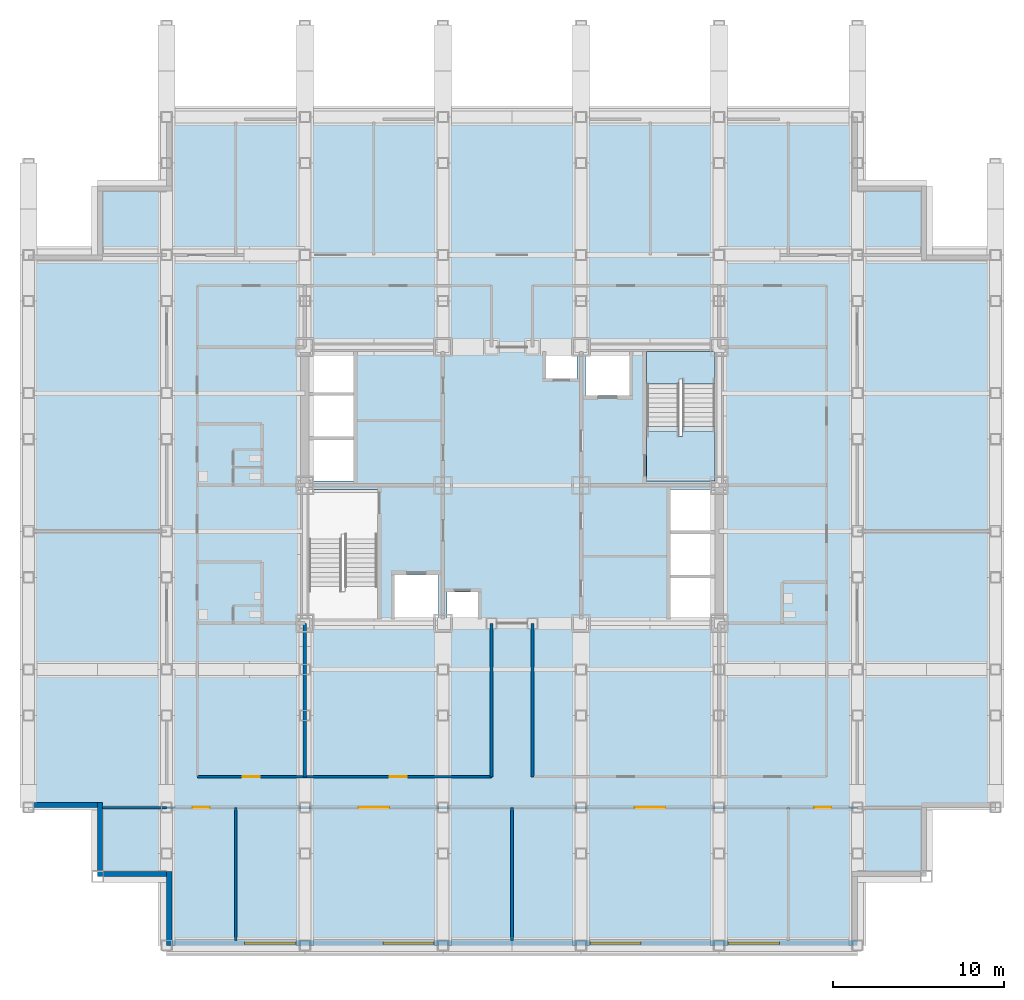
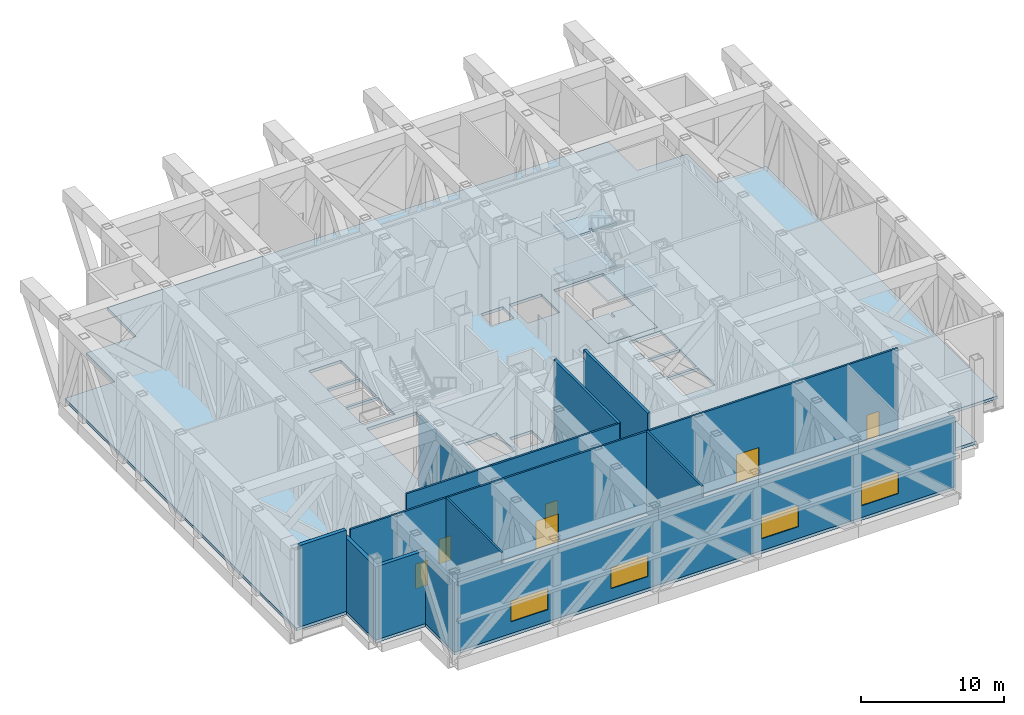
# One storey, part 7 of 13: 13 walls, 6 doors, 5 slabs, 4 windows, 10 openings, 1 element without a shape of its own.
"""IFC4 building model written with IfcOpenShell, lengths in metres."""

from ifc_helpers import new_model, si_unit, direction, frame, frame_2d, origin, place, context, subcontext, project, spatial, polyline, rectangle, outline, extrude, material, layer, layer_set, type_object, element, fill, aggregate, save


model = new_model("IFC4")

# Units and contexts
model_context = context("Model", 3, precision=1e-05, world=origin(), true_north=direction((0.0, 1.0)))
body_context = subcontext(model_context, "Body", "Model", "MODEL_VIEW")
ifc_project = project(units=[si_unit("LENGTHUNIT", "METRE"), si_unit("AREAUNIT", "SQUARE_METRE"), si_unit("VOLUMEUNIT", "CUBIC_METRE"), si_unit("PLANEANGLEUNIT", "RADIAN"), si_unit("MASSUNIT", "GRAM", prefix="KILO")], contexts=[model_context])

# Site, building, storey
site_placement = place(None, origin())
site = spatial("IfcSite", under=ifc_project, at=site_placement, CompositionType="ELEMENT")
building_placement = place(site_placement, origin())
building = spatial("IfcBuilding", under=site, at=building_placement, Name="Kopane Lantern Tower", CompositionType="ELEMENT")
storey_placement = place(building_placement, frame((0.0, 0.0, 157.800048828125)))
storey = spatial("IfcBuildingStorey", under=building, at=storey_placement, Name="L41", CompositionType="ELEMENT", Elevation=157.800048828125)

# Slab
ifc_material_1 = material(Name="Concrete C40/50", Category="concrete")
ifc_layer_1 = layer(ifc_material_1, 0.25)
ifc_layer_set_1 = layer_set([ifc_layer_1], Name="SLAB 250 COMPOSITE")
slab_type_1 = type_object("IfcSlabType", Name="SLAB 250 COMPOSITE", PredefinedType="FLOOR", material=ifc_layer_set_1)
slab_1_placement = place(storey_placement, frame((0.0, 0.0, -0.25)))
element("IfcSlab", 1, at=slab_1_placement, inside=storey, type_object=slab_type_1, Name="Floor slab L41", PredefinedType="FLOOR", context=body_context, shape_type="SweptSolid", body=[
    extrude(outline(polyline([(8.10009765625, 5.39990234375), (48.60009765625, 5.39990234375), (48.60009765625, 9.449951171875), (52.64990234375, 9.449951171875), (52.64990234375, 13.5), (56.699951171875, 13.5), (56.699951171875, 45.89990234375), (52.64990234375, 45.89990234375), (52.64990234375, 49.949951171875), (48.60009765625, 49.949951171875), (48.60009765625, 54.0), (8.10009765625, 54.0), (8.10009765625, 49.949951171875), (4.050048828125, 49.949951171875), (4.050048828125, 45.89990234375), (0.0, 45.89990234375), (0.0, 13.5), (4.050048828125, 13.5), (4.050048828125, 9.449951171875), (8.10009765625, 9.449951171875), (8.10009765625, 5.39990234375)]), holes=[polyline([(16.449951171875, 24.550048828125), (20.449951171875, 24.550048828125), (20.449951171875, 32.14990234375), (16.449951171875, 32.14990234375), (16.449951171875, 24.550048828125)]), polyline([(36.25, 32.64990234375), (40.25, 32.64990234375), (40.25, 40.25), (36.25, 40.25), (36.25, 32.64990234375)]), polyline([(16.449951171875, 32.64990234375), (19.050048828125, 32.64990234375), (19.050048828125, 35.050048828125), (16.449951171875, 35.050048828125), (16.449951171875, 32.64990234375)]), polyline([(16.449951171875, 35.25), (19.050048828125, 35.25), (19.050048828125, 37.64990234375), (16.449951171875, 37.64990234375), (16.449951171875, 35.25)]), polyline([(16.449951171875, 37.85009765625), (19.050048828125, 37.85009765625), (19.050048828125, 40.25), (16.449951171875, 40.25), (16.449951171875, 37.85009765625)]), polyline([(37.64990234375, 24.550048828125), (40.25, 24.550048828125), (40.25, 26.949951171875), (37.64990234375, 26.949951171875), (37.64990234375, 24.550048828125)]), polyline([(37.64990234375, 27.14990234375), (40.25, 27.14990234375), (40.25, 29.550048828125), (37.64990234375, 29.550048828125), (37.64990234375, 27.14990234375)]), polyline([(37.64990234375, 29.75), (40.25, 29.75), (40.25, 32.14990234375), (37.64990234375, 32.14990234375), (37.64990234375, 29.75)]), polyline([(21.449951171875, 24.550048828125), (24.050048828125, 24.550048828125), (24.050048828125, 27.14990234375), (21.449951171875, 27.14990234375), (21.449951171875, 24.550048828125)]), polyline([(32.64990234375, 37.64990234375), (35.25, 37.64990234375), (35.25, 40.25), (32.64990234375, 40.25), (32.64990234375, 37.64990234375)]), polyline([(24.550048828125, 24.550048828125), (26.35009765625, 24.550048828125), (26.35009765625, 26.14990234375), (24.550048828125, 26.14990234375), (24.550048828125, 24.550048828125)]), polyline([(30.35009765625, 38.64990234375), (32.14990234375, 38.64990234375), (32.14990234375, 40.25), (30.35009765625, 40.25), (30.35009765625, 38.64990234375)])]), origin(), (0.0, 0.0, 1.0), 0.25),
])

# Stair, slabs
ifc_material_2 = material(Name="Steel S355JR", Category="steel")
stair_type = type_object("IfcStairType", Name="EXIT STAIR 1900 HALF TURN", PredefinedType="HALF_TURN_STAIR", material=ifc_material_2)
stair_placement = place(storey_placement, origin())
stair = element("IfcStair", 2, at=stair_placement, inside=storey, type_object=stair_type, Name="Exit stair ST2 L41", PredefinedType="HALF_TURN_STAIR")
ifc_material_3 = material(Name="Concrete C40/50", Category="concrete")
ifc_layer_2 = layer(ifc_material_3, 0.199951171875)
ifc_layer_set_2 = layer_set([ifc_layer_2], Name="STAIR LANDING 200")
slab_type_2 = type_object("IfcSlabType", Name="STAIR LANDING 200", PredefinedType="LANDING", material=ifc_layer_set_2)
slab_2_placement = place(storey_placement, frame((0.0, 0.0, -0.199951171875)))
slab_2 = element("IfcSlab", 3, at=slab_2_placement, type_object=slab_type_2, Name="ST2 landing 1", PredefinedType="LANDING", context=body_context, shape_type="SweptSolid", body=[
    extrude(outline(polyline([(40.25, 35.830078125), (38.35009765625, 35.830078125), (38.35009765625, 35.27001953125), (38.14990234375, 35.27001953125), (38.14990234375, 35.830078125), (36.25, 35.830078125), (36.25, 32.64990234375), (40.25, 32.64990234375), (40.25, 35.830078125)])), origin(), (0.0, 0.0, 1.0), 0.199951171875),
])
slab_3_placement = place(storey_placement, frame((0.0, 0.0, 1.641845703125)))
slab_3 = element("IfcSlab", 4, at=slab_3_placement, type_object=slab_type_2, Name="ST2 landing 2", PredefinedType="LANDING", context=body_context, shape_type="SweptSolid", body=[
    extrude(outline(polyline([(38.14990234375, 38.6298828125), (38.35009765625, 38.6298828125), (38.35009765625, 38.35009765625), (40.25, 38.35009765625), (40.25, 40.25), (36.25, 40.25), (36.25, 38.35009765625), (38.14990234375, 38.35009765625), (38.14990234375, 38.6298828125)])), origin(), (0.0, 0.0, 1.0), 0.199951171875),
])
slab_4_placement = place(storey_placement, frame((0.0, 0.0, 3.483642578125)))
slab_4 = element("IfcSlab", 5, at=slab_4_placement, type_object=slab_type_2, Name="ST2 landing 3", PredefinedType="LANDING", context=body_context, shape_type="SweptSolid", body=[
    extrude(outline(polyline([(40.25, 35.550048828125), (38.35009765625, 35.550048828125), (38.35009765625, 35.27001953125), (38.14990234375, 35.27001953125), (38.14990234375, 35.550048828125), (36.25, 35.550048828125), (36.25, 32.64990234375), (40.25, 32.64990234375), (40.25, 35.550048828125)])), origin(), (0.0, 0.0, 1.0), 0.199951171875),
])
slab_5_placement = place(storey_placement, frame((0.0, 0.0, 5.325439453125)))
slab_5 = element("IfcSlab", 6, at=slab_5_placement, type_object=slab_type_2, Name="ST2 landing 4", PredefinedType="LANDING", context=body_context, shape_type="SweptSolid", body=[
    extrude(outline(polyline([(38.14990234375, 38.6298828125), (38.35009765625, 38.6298828125), (38.35009765625, 38.35009765625), (40.25, 38.35009765625), (40.25, 40.25), (36.25, 40.25), (36.25, 38.35009765625), (38.14990234375, 38.35009765625), (38.14990234375, 38.6298828125)])), origin(), (0.0, 0.0, 1.0), 0.2001953125),
])
aggregate(stair, [slab_2, slab_3, slab_4, slab_5])

# Wall, openings, doors
ifc_material_4 = material(Name="Gypsum board on steel studs", Category="steel")
ifc_layer_3 = layer(ifc_material_4, 0.14990234375)
ifc_layer_set_3 = layer_set([ifc_layer_3], Name="CORRIDOR WALL 150 EI 60")
wall_type_1 = type_object("IfcWallType", Name="CORRIDOR WALL 150 EI 60", PredefinedType="PARTITIONING", material=ifc_layer_set_3)
wall_1_placement = place(storey_placement, frame((8.10009765625, 13.5, 0.0), z_axis=(0.0, 0.0, 1.0), x_axis=(1.0, 0.0, 0.0)))
wall_1 = element("IfcWall", 7, at=wall_1_placement, inside=storey, type_object=wall_type_1, Name="Corridor Wall 150 Ei 60 L41", PredefinedType="PARTITIONING", context=body_context, shape_type="SweptSolid", body=[
    extrude(rectangle(XDim=40.5, YDim=0.14990234375, at=frame_2d((20.25, 0.0))), origin(), (0.0, 0.0, 1.0), 6.949951171875),
])
opening_1_placement = place(wall_1_placement, frame((11.25, 0.0, 0.0)))
opening_1 = element("IfcOpeningElement", 8, at=opening_1_placement, cuts=wall_1, Name="Opening L41-016", PredefinedType="OPENING", context=body_context, shape_type="SweptSolid", body=[
    extrude(rectangle(XDim=1.800048828125, YDim=2.39990234375, at=frame_2d((0.89990234375, 1.199951171875))), frame((0.0, 0.0849609375, 0.0), z_axis=(0.0, -1.0, 0.0), x_axis=(1.0, 0.0, 0.0)), (0.0, 0.0, 1.0), 0.169921875),
])
opening_2_placement = place(wall_1_placement, frame((27.449951171875, 0.0, 0.0)))
opening_2 = element("IfcOpeningElement", 9, at=opening_2_placement, cuts=wall_1, Name="Opening L41-017", PredefinedType="OPENING", context=body_context, shape_type="SweptSolid", body=[
    extrude(rectangle(XDim=1.800048828125, YDim=2.39990234375, at=frame_2d((0.89990234375, 1.199951171875))), frame((0.0, 0.0849609375, 0.0), z_axis=(0.0, -1.0, 0.0), x_axis=(1.0, 0.0, 0.0)), (0.0, 0.0, 1.0), 0.169921875),
])
opening_3_placement = place(wall_1_placement, frame((1.52490234375, 0.0, 0.0)))
opening_3 = element("IfcOpeningElement", 10, at=opening_3_placement, cuts=wall_1, Name="Opening L41-025", PredefinedType="OPENING", context=body_context, shape_type="SweptSolid", body=[
    extrude(rectangle(XDim=1.0, YDim=2.10009765625, at=frame_2d((0.5, 1.050048828125))), frame((0.0, 0.0849609375, 0.0), z_axis=(0.0, -1.0, 0.0), x_axis=(1.0, 0.0, 0.0)), (0.0, 0.0, 1.0), 0.169921875),
])
opening_4_placement = place(wall_1_placement, frame((37.97509765625, 0.0, 0.0)))
opening_4 = element("IfcOpeningElement", 11, at=opening_4_placement, cuts=wall_1, Name="Opening L41-026", PredefinedType="OPENING", context=body_context, shape_type="SweptSolid", body=[
    extrude(rectangle(XDim=1.0, YDim=2.10009765625, at=frame_2d((0.5, 1.050048828125))), frame((0.0, 0.0849609375, 0.0), z_axis=(0.0, -1.0, 0.0), x_axis=(1.0, 0.0, 0.0)), (0.0, 0.0, 1.0), 0.169921875),
])
ifc_material_5 = material(Name="Steel door set", Category="steel")
door_type_1 = type_object("IfcDoorType", Name="DOOR D5 1000x2100 FD60", OperationType="SINGLE_SWING_LEFT", PredefinedType="DOOR", material=ifc_material_5)
door_1_placement = place(opening_3_placement, origin())
door_1 = element("IfcDoor", 12, at=door_1_placement, inside=storey, type_object=door_type_1, Name="Door L41-025", OperationType="SINGLE_SWING_LEFT", OverallHeight=2.10009765625, OverallWidth=1.0, PredefinedType="DOOR", context=body_context, shape_type="SweptSolid", body=[
    extrude(rectangle(XDim=1.0, YDim=2.10009765625, at=frame_2d((0.5, 1.050048828125))), frame((0.0, 0.02490234375, 0.0), z_axis=(0.0, -1.0, 0.0), x_axis=(1.0, 0.0, 0.0)), (0.0, 0.0, 1.0), 0.050048828125),
])
fill(opening_3, door_1)
door_2_placement = place(opening_4_placement, origin())
door_2 = element("IfcDoor", 13, at=door_2_placement, inside=storey, type_object=door_type_1, Name="Door L41-026", OperationType="SINGLE_SWING_RIGHT", OverallHeight=2.10009765625, OverallWidth=1.0, PredefinedType="DOOR", context=body_context, shape_type="SweptSolid", body=[
    extrude(rectangle(XDim=1.0, YDim=2.10009765625, at=frame_2d((0.5, 1.050048828125))), frame((0.0, 0.02490234375, 0.0), z_axis=(0.0, -1.0, 0.0), x_axis=(1.0, 0.0, 0.0)), (0.0, 0.0, 1.0), 0.050048828125),
])
fill(opening_4, door_2)
ifc_material_6 = material(Name="Steel door set", Category="steel")
door_type_2 = type_object("IfcDoorType", Name="DOOR D6 1800x2400 FD30S", OperationType="SINGLE_SWING_LEFT", PredefinedType="DOOR", material=ifc_material_6)
door_3_placement = place(opening_1_placement, origin())
door_3 = element("IfcDoor", 14, at=door_3_placement, inside=storey, type_object=door_type_2, Name="Door L41-016", OperationType="DOUBLE_DOOR_SINGLE_SWING", OverallHeight=2.39990234375, OverallWidth=1.800048828125, PredefinedType="DOOR", context=body_context, shape_type="SweptSolid", body=[
    extrude(rectangle(XDim=1.800048828125, YDim=2.39990234375, at=frame_2d((0.89990234375, 1.199951171875))), frame((0.0, 0.02490234375, 0.0), z_axis=(0.0, -1.0, 0.0), x_axis=(1.0, 0.0, 0.0)), (0.0, 0.0, 1.0), 0.050048828125),
])
fill(opening_1, door_3)
ifc_material_7 = material(Name="Steel door set", Category="steel")
door_type_3 = type_object("IfcDoorType", Name="DOOR D8 1800x2400 FD120", OperationType="SINGLE_SWING_LEFT", PredefinedType="DOOR", material=ifc_material_7)
door_4_placement = place(opening_2_placement, origin())
door_4 = element("IfcDoor", 15, at=door_4_placement, inside=storey, type_object=door_type_3, Name="Door L41-017", OperationType="DOUBLE_DOOR_SINGLE_SWING", OverallHeight=2.39990234375, OverallWidth=1.800048828125, PredefinedType="DOOR", context=body_context, shape_type="SweptSolid", body=[
    extrude(rectangle(XDim=1.800048828125, YDim=2.39990234375, at=frame_2d((0.89990234375, 1.199951171875))), frame((0.0, 0.02490234375, 0.0), z_axis=(0.0, -1.0, 0.0), x_axis=(1.0, 0.0, 0.0)), (0.0, 0.0, 1.0), 0.050048828125),
])
fill(opening_2, door_4)

wall_2_placement = place(storey_placement, frame((9.89990234375, 15.300048828125, 0.0), z_axis=(0.0, 0.0, 1.0), x_axis=(1.0, 0.0, 0.0)))
wall_2 = element("IfcWall", 16, at=wall_2_placement, inside=storey, type_object=wall_type_1, Name="Corridor Wall 150 Ei 60 L41", PredefinedType="PARTITIONING", context=body_context, shape_type="SweptSolid", body=[
    extrude(rectangle(XDim=17.239990234375, YDim=0.14990234375, at=frame_2d((8.6201171875, 0.0))), origin(), (0.0, 0.0, 1.0), 6.949951171875),
])
opening_5_placement = place(wall_2_placement, frame((2.64990234375, 0.0, 0.0)))
opening_5 = element("IfcOpeningElement", 17, at=opening_5_placement, cuts=wall_2, Name="Opening L41-008", PredefinedType="OPENING", context=body_context, shape_type="SweptSolid", body=[
    extrude(rectangle(XDim=1.0, YDim=2.10009765625, at=frame_2d((0.5, 1.050048828125))), frame((0.0, 0.0849609375, 0.0), z_axis=(0.0, -1.0, 0.0), x_axis=(1.0, 0.0, 0.0)), (0.0, 0.0, 1.0), 0.169921875),
])
opening_6_placement = place(wall_2_placement, frame((11.27490234375, 0.0, 0.0)))
opening_6 = element("IfcOpeningElement", 18, at=opening_6_placement, cuts=wall_2, Name="Opening L41-009", PredefinedType="OPENING", context=body_context, shape_type="SweptSolid", body=[
    extrude(rectangle(XDim=1.0, YDim=2.10009765625, at=frame_2d((0.5, 1.050048828125))), frame((0.0, 0.0849609375, 0.0), z_axis=(0.0, -1.0, 0.0), x_axis=(1.0, 0.0, 0.0)), (0.0, 0.0, 1.0), 0.169921875),
])
door_5_placement = place(opening_5_placement, origin())
door_5 = element("IfcDoor", 19, at=door_5_placement, inside=storey, type_object=door_type_1, Name="Door L41-008", OperationType="SINGLE_SWING_LEFT", OverallHeight=2.10009765625, OverallWidth=1.0, PredefinedType="DOOR", context=body_context, shape_type="SweptSolid", body=[
    extrude(rectangle(XDim=1.0, YDim=2.10009765625, at=frame_2d((0.5, 1.050048828125))), frame((0.0, 0.02490234375, 0.0), z_axis=(0.0, -1.0, 0.0), x_axis=(1.0, 0.0, 0.0)), (0.0, 0.0, 1.0), 0.050048828125),
])
fill(opening_5, door_5)
door_6_placement = place(opening_6_placement, origin())
door_6 = element("IfcDoor", 20, at=door_6_placement, inside=storey, type_object=door_type_1, Name="Door L41-009", OperationType="SINGLE_SWING_RIGHT", OverallHeight=2.10009765625, OverallWidth=1.0, PredefinedType="DOOR", context=body_context, shape_type="SweptSolid", body=[
    extrude(rectangle(XDim=1.0, YDim=2.10009765625, at=frame_2d((0.5, 1.050048828125))), frame((0.0, 0.02490234375, 0.0), z_axis=(0.0, -1.0, 0.0), x_axis=(1.0, 0.0, 0.0)), (0.0, 0.0, 1.0), 0.050048828125),
])
fill(opening_6, door_6)

# Walls
ifc_material_8 = material(Name="Gypsum board on steel studs", Category="steel")
ifc_layer_4 = layer(ifc_material_8, 0.14990234375)
ifc_layer_set_4 = layer_set([ifc_layer_4], Name="DEMISING WALL 150 EI 60")
wall_type_2 = type_object("IfcWallType", Name="DEMISING WALL 150 EI 60", PredefinedType="PARTITIONING", material=ifc_layer_set_4)
wall_3_placement = place(storey_placement, frame((28.35009765625, 13.5, 0.0), z_axis=(0.0, 0.0, 1.0), x_axis=(0.0, -1.0, 0.0)))
element("IfcWall", 21, at=wall_3_placement, inside=storey, type_object=wall_type_2, Name="Demising Wall 150 Ei 60 L41", PredefinedType="PARTITIONING", context=body_context, shape_type="SweptSolid", body=[
    extrude(rectangle(XDim=7.800048828125, YDim=0.14990234375, at=frame_2d((3.89990234375, 0.0))), origin(), (0.0, 0.0, 1.0), 6.949951171875),
])
wall_4_placement = place(storey_placement, frame((4.35009765625, 13.5, 0.0), z_axis=(0.0, 0.0, 1.0), x_axis=(1.0, 0.0, 0.0)))
element("IfcWall", 22, at=wall_4_placement, inside=storey, type_object=wall_type_2, Name="Demising Wall 150 Ei 60 L41", PredefinedType="PARTITIONING", context=body_context, shape_type="SweptSolid", body=[
    extrude(rectangle(XDim=3.75, YDim=0.14990234375, at=frame_2d((1.875, 0.0))), origin(), (0.0, 0.0, 1.0), 6.949951171875),
])
wall_5_placement = place(storey_placement, frame((12.14990234375, 13.5, 0.0), z_axis=(0.0, 0.0, 1.0), x_axis=(0.0, -1.0, 0.0)))
element("IfcWall", 23, at=wall_5_placement, inside=storey, type_object=wall_type_2, Name="Demising Wall 150 Ei 60 L41", PredefinedType="PARTITIONING", context=body_context, shape_type="SweptSolid", body=[
    extrude(rectangle(XDim=7.800048828125, YDim=0.14990234375, at=frame_2d((3.89990234375, 0.0))), origin(), (0.0, 0.0, 1.0), 6.949951171875),
])

# Wall, openings, windows
ifc_material_9 = material(Name="Terracotta rainscreen on light steel framing", Category="masonry")
ifc_layer_5 = layer(ifc_material_9, 0.300048828125)
ifc_layer_set_5 = layer_set([ifc_layer_5], Name="EXTERNAL WALL EW1 300 TERRACOTTA")
wall_type_3 = type_object("IfcWallType", Name="EXTERNAL WALL EW1 300 TERRACOTTA", PredefinedType="SOLIDWALL", material=ifc_layer_set_5)
wall_6_placement = place(storey_placement, frame((8.39990234375, 5.550048828125, 0.0), z_axis=(0.0, 0.0, 1.0), x_axis=(1.0, 0.0, 0.0)))
wall_6 = element("IfcWall", 24, at=wall_6_placement, inside=storey, type_object=wall_type_3, Name="External wall S L41", PredefinedType="SOLIDWALL", context=body_context, shape_type="SweptSolid", body=[
    extrude(rectangle(XDim=40.2001953125, YDim=0.300048828125, at=frame_2d((20.10009765625, 0.0))), origin(), (0.0, 0.0, 1.0), 5.949951171875),
])
opening_7_placement = place(wall_6_placement, frame((4.27490234375, 0.0, 1.0)))
opening_7 = element("IfcOpeningElement", 25, at=opening_7_placement, cuts=wall_6, Name="Opening LV300180", PredefinedType="OPENING", context=body_context, shape_type="SweptSolid", body=[
    extrude(rectangle(XDim=3.0, YDim=1.800048828125, at=frame_2d((1.5, 0.89990234375))), frame((0.0, 0.159912109375, 0.0), z_axis=(0.0, -1.0, 0.0), x_axis=(1.0, 0.0, 0.0)), (0.0, 0.0, 1.0), 0.320068359375),
])
opening_8_placement = place(wall_6_placement, frame((12.375, 0.0, 1.0)))
opening_8 = element("IfcOpeningElement", 26, at=opening_8_placement, cuts=wall_6, Name="Opening LV300180", PredefinedType="OPENING", context=body_context, shape_type="SweptSolid", body=[
    extrude(rectangle(XDim=3.0, YDim=1.800048828125, at=frame_2d((1.5, 0.89990234375))), frame((0.0, 0.159912109375, 0.0), z_axis=(0.0, -1.0, 0.0), x_axis=(1.0, 0.0, 0.0)), (0.0, 0.0, 1.0), 0.320068359375),
])
opening_9_placement = place(wall_6_placement, frame((24.52490234375, 0.0, 1.0)))
opening_9 = element("IfcOpeningElement", 27, at=opening_9_placement, cuts=wall_6, Name="Opening LV300180", PredefinedType="OPENING", context=body_context, shape_type="SweptSolid", body=[
    extrude(rectangle(XDim=3.0, YDim=1.800048828125, at=frame_2d((1.5, 0.89990234375))), frame((0.0, 0.159912109375, 0.0), z_axis=(0.0, -1.0, 0.0), x_axis=(1.0, 0.0, 0.0)), (0.0, 0.0, 1.0), 0.320068359375),
])
opening_10_placement = place(wall_6_placement, frame((32.625, 0.0, 1.0)))
opening_10 = element("IfcOpeningElement", 28, at=opening_10_placement, cuts=wall_6, Name="Opening LV300180", PredefinedType="OPENING", context=body_context, shape_type="SweptSolid", body=[
    extrude(rectangle(XDim=3.0, YDim=1.800048828125, at=frame_2d((1.5, 0.89990234375))), frame((0.0, 0.159912109375, 0.0), z_axis=(0.0, -1.0, 0.0), x_axis=(1.0, 0.0, 0.0)), (0.0, 0.0, 1.0), 0.320068359375),
])
ifc_material_10 = material(Name="Aluminium louvre blades", Category="aluminium")
window_type = type_object("IfcWindowType", Name="PLANT LOUVRE LV300180 3000x1800x150", PartitioningType="SINGLE_PANEL", PredefinedType="USERDEFINED", material=ifc_material_10)
window_1_placement = place(opening_7_placement, origin())
window_1 = element("IfcWindow", 29, at=window_1_placement, inside=storey, type_object=window_type, Name="Louvre S L41", ObjectType="LOUVRE", OverallHeight=1.800048828125, OverallWidth=3.0, PartitioningType="SINGLE_PANEL", PredefinedType="USERDEFINED", context=body_context, shape_type="SweptSolid", body=[
    extrude(rectangle(XDim=3.0, YDim=1.800048828125, at=frame_2d((1.5, 0.89990234375))), frame((0.0, 0.074951171875, 0.0), z_axis=(0.0, -1.0, 0.0), x_axis=(1.0, 0.0, 0.0)), (0.0, 0.0, 1.0), 0.14990234375),
])
fill(opening_7, window_1)
window_2_placement = place(opening_8_placement, origin())
window_2 = element("IfcWindow", 30, at=window_2_placement, inside=storey, type_object=window_type, Name="Louvre S L41", ObjectType="LOUVRE", OverallHeight=1.800048828125, OverallWidth=3.0, PartitioningType="SINGLE_PANEL", PredefinedType="USERDEFINED", context=body_context, shape_type="SweptSolid", body=[
    extrude(rectangle(XDim=3.0, YDim=1.800048828125, at=frame_2d((1.5, 0.89990234375))), frame((0.0, 0.074951171875, 0.0), z_axis=(0.0, -1.0, 0.0), x_axis=(1.0, 0.0, 0.0)), (0.0, 0.0, 1.0), 0.14990234375),
])
fill(opening_8, window_2)
window_3_placement = place(opening_9_placement, origin())
window_3 = element("IfcWindow", 31, at=window_3_placement, inside=storey, type_object=window_type, Name="Louvre S L41", ObjectType="LOUVRE", OverallHeight=1.800048828125, OverallWidth=3.0, PartitioningType="SINGLE_PANEL", PredefinedType="USERDEFINED", context=body_context, shape_type="SweptSolid", body=[
    extrude(rectangle(XDim=3.0, YDim=1.800048828125, at=frame_2d((1.5, 0.89990234375))), frame((0.0, 0.074951171875, 0.0), z_axis=(0.0, -1.0, 0.0), x_axis=(1.0, 0.0, 0.0)), (0.0, 0.0, 1.0), 0.14990234375),
])
fill(opening_9, window_3)
window_4_placement = place(opening_10_placement, origin())
window_4 = element("IfcWindow", 32, at=window_4_placement, inside=storey, type_object=window_type, Name="Louvre S L41", ObjectType="LOUVRE", OverallHeight=1.800048828125, OverallWidth=3.0, PartitioningType="SINGLE_PANEL", PredefinedType="USERDEFINED", context=body_context, shape_type="SweptSolid", body=[
    extrude(rectangle(XDim=3.0, YDim=1.800048828125, at=frame_2d((1.5, 0.89990234375))), frame((0.0, 0.074951171875, 0.0), z_axis=(0.0, -1.0, 0.0), x_axis=(1.0, 0.0, 0.0)), (0.0, 0.0, 1.0), 0.14990234375),
])
fill(opening_10, window_4)

# Walls
wall_7_placement = place(storey_placement, frame((0.300048828125, 13.64990234375, 0.0), z_axis=(0.0, 0.0, 1.0), x_axis=(1.0, 0.0, 0.0)))
element("IfcWall", 33, at=wall_7_placement, inside=storey, type_object=wall_type_3, Name="External wall S L41", PredefinedType="SOLIDWALL", context=body_context, shape_type="SweptSolid", body=[
    extrude(rectangle(XDim=3.75, YDim=0.300048828125, at=frame_2d((1.875, 0.0))), origin(), (0.0, 0.0, 1.0), 6.949951171875),
])
wall_8_placement = place(storey_placement, frame((4.199951171875, 13.800048828125, 0.0), z_axis=(0.0, 0.0, 1.0), x_axis=(0.0, -1.0, 0.0)))
element("IfcWall", 34, at=wall_8_placement, inside=storey, type_object=wall_type_3, Name="External wall W L41", PredefinedType="SOLIDWALL", context=body_context, shape_type="SweptSolid", body=[
    extrude(rectangle(XDim=4.35009765625, YDim=0.300048828125, at=frame_2d((2.175048828125, 0.0))), origin(), (0.0, 0.0, 1.0), 6.25),
])
wall_9_placement = place(storey_placement, frame((4.35009765625, 9.60009765625, 0.0), z_axis=(0.0, 0.0, 1.0), x_axis=(1.0, 0.0, 0.0)))
element("IfcWall", 35, at=wall_9_placement, inside=storey, type_object=wall_type_3, Name="External wall S L41", PredefinedType="SOLIDWALL", context=body_context, shape_type="SweptSolid", body=[
    extrude(rectangle(XDim=3.75, YDim=0.300048828125, at=frame_2d((1.875, 0.0))), origin(), (0.0, 0.0, 1.0), 6.25),
])
wall_10_placement = place(storey_placement, frame((8.25, 9.75, 0.0), z_axis=(0.0, 0.0, 1.0), x_axis=(0.0, -1.0, 0.0)))
element("IfcWall", 36, at=wall_10_placement, inside=storey, type_object=wall_type_3, Name="External wall W L41", PredefinedType="SOLIDWALL", context=body_context, shape_type="SweptSolid", body=[
    extrude(rectangle(XDim=4.35009765625, YDim=0.300048828125, at=frame_2d((2.175048828125, 0.0))), origin(), (0.0, 0.0, 1.0), 5.949951171875),
])
ifc_material_11 = material(Name="Concrete masonry", Category="masonry")
ifc_layer_6 = layer(ifc_material_11, 0.199951171875)
ifc_layer_set_6 = layer_set([ifc_layer_6], Name="PLANT ROOM WALL 200 EI 120")
wall_type_4 = type_object("IfcWallType", Name="PLANT ROOM WALL 200 EI 120", PredefinedType="SOLIDWALL", material=ifc_layer_set_6)
wall_11_placement = place(storey_placement, frame((16.199951171875, 15.300048828125, 0.0), z_axis=(0.0, 0.0, 1.0), x_axis=(0.0, 1.0, 0.0)))
element("IfcWall", 37, at=wall_11_placement, inside=storey, type_object=wall_type_4, Name="Plant Room Wall 200 Ei 120 L41", PredefinedType="SOLIDWALL", context=body_context, shape_type="SweptSolid", body=[
    extrude(rectangle(XDim=9.0, YDim=0.199951171875, at=frame_2d((4.5, 0.0))), origin(), (0.0, 0.0, 1.0), 5.949951171875),
])
for number, where, z_axis, x_axis, name in (
    (38, (27.14990234375, 15.300048828125, 0.0), (0.0, 0.0, 1.0), (0.0, 1.0, 0.0), "Plant Room Wall 200 Ei 120 L41"),
    (39, (29.550048828125, 15.300048828125, 0.0), (0.0, 0.0, 1.0), (0.0, 1.0, 0.0), "Plant Room Wall 200 Ei 120 L41"),
):
    element("IfcWall", number, at=place(storey_placement, frame(where, z_axis=z_axis, x_axis=x_axis)), inside=storey, type_object=wall_type_4, Name=name, PredefinedType="SOLIDWALL", context=body_context, shape_type="SweptSolid", body=[
        extrude(rectangle(XDim=9.0, YDim=0.199951171875, at=frame_2d((4.5, 0.0))), origin(), (0.0, 0.0, 1.0), 6.949951171875),
    ])

save(model, "model.ifc")
